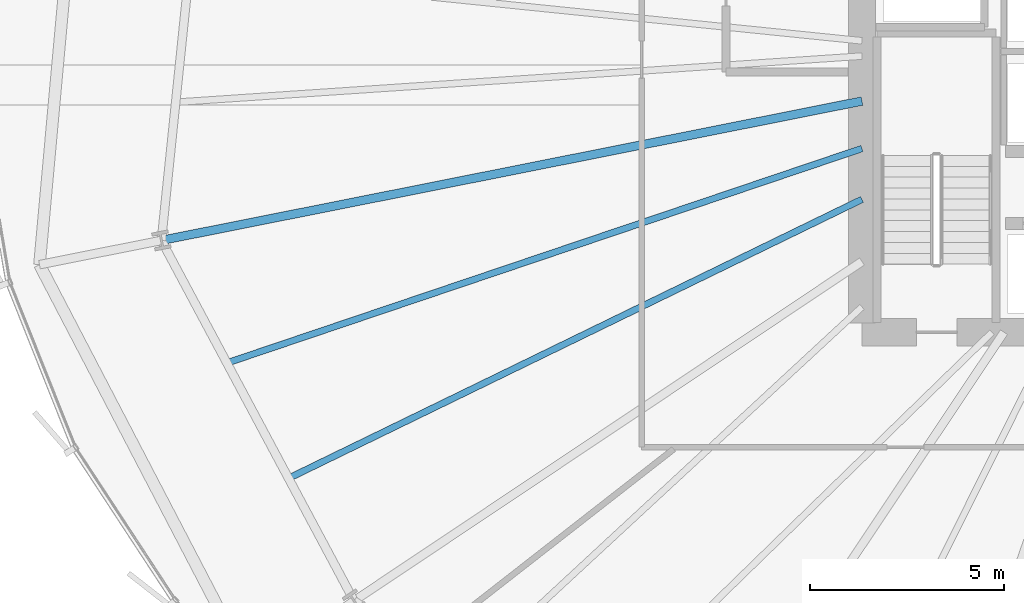
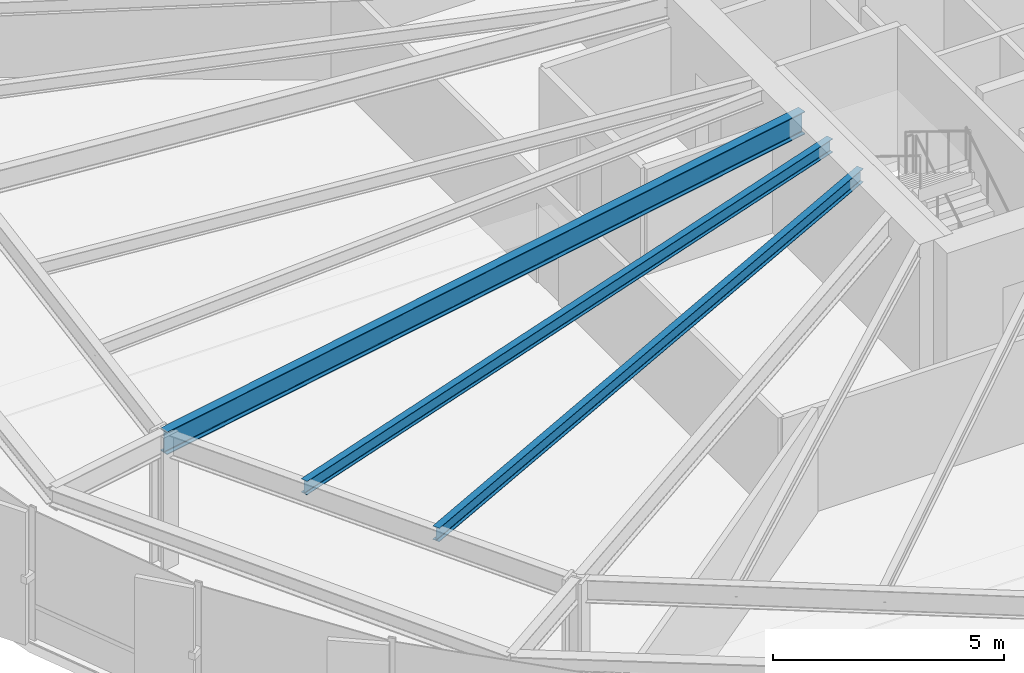
# One storey, part 8 of 39: 3 beams.
"""IFC4 building model written with IfcOpenShell, lengths in metres."""

from ifc_helpers import new_model, si_unit, direction, frame, origin, origin_2d, place, context, subcontext, project, spatial, i_section, extrude, source, transform, mapped, material, material_profile, profile_set, type_object, element, save


model = new_model("IFC4")

# Units and contexts
model_context = context("Model", 3, precision=1e-05, world=origin(), true_north=direction((0.0, 1.0)))
body_context = subcontext(model_context, "Body", "Model", "MODEL_VIEW")
ifc_project = project(units=[si_unit("LENGTHUNIT", "METRE"), si_unit("AREAUNIT", "SQUARE_METRE"), si_unit("VOLUMEUNIT", "CUBIC_METRE"), si_unit("PLANEANGLEUNIT", "RADIAN"), si_unit("MASSUNIT", "GRAM", prefix="KILO"), si_unit("THERMODYNAMICTEMPERATUREUNIT", "KELVIN")], contexts=[model_context])

# Site, building, storey
site_placement = place(None, origin())
site = spatial("IfcSite", under=ifc_project, at=site_placement, CompositionType="ELEMENT")
building_placement = place(site_placement, origin())
building = spatial("IfcBuilding", under=site, at=building_placement, Name="Kethvar Cultural Tower", CompositionType="ELEMENT")
storey_placement = place(building_placement, frame((0.0, 0.0, 44.800048828125)))
storey = spatial("IfcBuildingStorey", under=building, at=storey_placement, Name="L10", CompositionType="ELEMENT", Elevation=44.800048828125)

# Beams
ifc_material = material(Name="Steel S355J2", Category="steel")
ifc_material_profile_1 = material_profile(ifc_material, i_section(OverallWidth=0.219970703125, OverallDepth=0.60009765625, WebThickness=0.011962890625, FlangeThickness=0.01904296875, FilletRadius=0.02392578125, at=origin_2d()), Name="Steel S355J2 — IPE600")
ifc_profile_set_1 = profile_set([ifc_material_profile_1], Name="Steel S355J2 — IPE600")
beam_type_1 = type_object("IfcBeamType", Name="BM-IPE600", PredefinedType="BEAM", material=ifc_profile_set_1)
shared_shape_1 = source(origin(), body_context, "Body", "SweptSolid", [
    extrude(i_section(OverallWidth=0.219970703125, OverallDepth=0.60009765625, WebThickness=0.011962890625, FlangeThickness=0.01904296875, FilletRadius=0.02392578125, at=origin_2d()), origin(), (0.0, 0.0, 1.0), 18.387451171875),
])
beam_1_placement = place(storey_placement, frame((38.0, 26.049560546875, 3.248046875), z_axis=(-0.980785937774, -0.195087017162, 0.0), x_axis=(0.195087017162, -0.980785937774, 0.0)))
element("IfcBeam", 1, at=beam_1_placement, inside=storey, type_object=beam_type_1, Name="L10 Primary Radial Beam RB-09", PredefinedType="BEAM", context=body_context, shape_type="MappedRepresentation", body=[
    mapped(shared_shape_1, transform((0.0, 0.0, 0.0), scale=1.0)),
])
ifc_material_profile_2 = material_profile(ifc_material, i_section(OverallWidth=0.169921875, OverallDepth=0.360107421875, WebThickness=0.008056640625, FlangeThickness=0.0126953125, FilletRadius=0.01806640625, at=origin_2d()), Name="Steel S355J2 — IPE360")
ifc_profile_set_2 = profile_set([ifc_material_profile_2], Name="Steel S355J2 — IPE360")
beam_type_2 = type_object("IfcBeamType", Name="BM-J360", PredefinedType="JOIST", material=ifc_profile_set_2)
shared_shape_2 = source(origin(), body_context, "Body", "SweptSolid", [
    extrude(i_section(OverallWidth=0.169921875, OverallDepth=0.360107421875, WebThickness=0.008056640625, FlangeThickness=0.0126953125, FilletRadius=0.01806640625, at=origin_2d()), origin(), (0.0, 0.0, 1.0), 17.255126953125),
])
beam_2_placement = place(storey_placement, frame((38.0, 24.828369140625, 3.367919921875), z_axis=(-0.947435140552, -0.319947893332, 0.0), x_axis=(0.319947893332, -0.947435140552, 0.0)))
element("IfcBeam", 2, at=beam_2_placement, inside=storey, type_object=beam_type_2, Name="L10 Composite Floor Joist J-09A", PredefinedType="JOIST", context=body_context, shape_type="MappedRepresentation", body=[
    mapped(shared_shape_2, transform((0.0, 0.0, 0.0), scale=1.0)),
])
shared_shape_3 = source(origin(), body_context, "Body", "SweptSolid", [
    extrude(i_section(OverallWidth=0.169921875, OverallDepth=0.360107421875, WebThickness=0.008056640625, FlangeThickness=0.0126953125, FilletRadius=0.01806640625, at=origin_2d()), origin(), (0.0, 0.0, 1.0), 16.4150390625),
])
beam_3_placement = place(storey_placement, frame((38.0, 23.51904296875, 3.367919921875), z_axis=(-0.899246473736, -0.437442315595, 0.0), x_axis=(0.437442315595, -0.899246473736, 0.0)))
element("IfcBeam", 3, at=beam_3_placement, inside=storey, type_object=beam_type_2, Name="L10 Composite Floor Joist J-09B", PredefinedType="JOIST", context=body_context, shape_type="MappedRepresentation", body=[
    mapped(shared_shape_3, transform((0.0, 0.0, 0.0), scale=1.0)),
])

save(model, "model.ifc")
